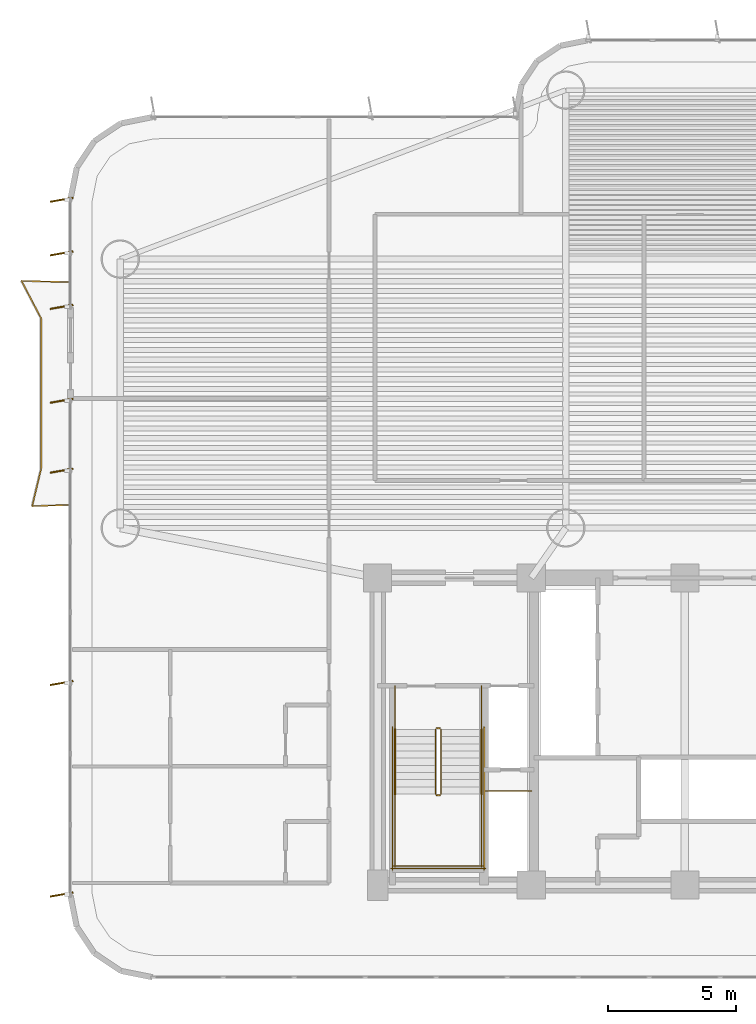
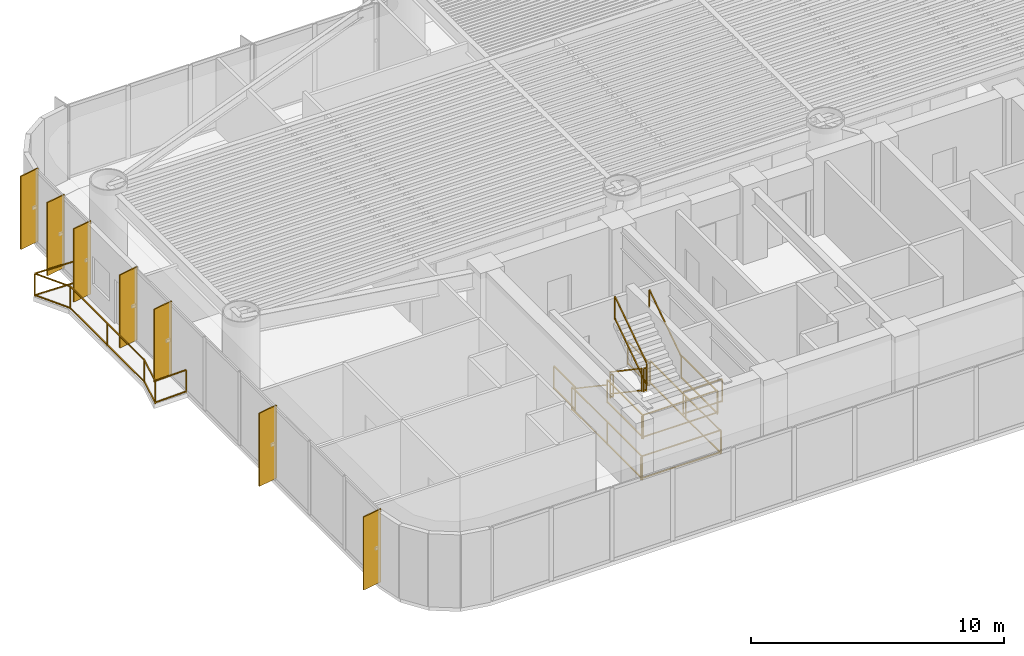
# One storey, part 14 of 17: 16 railings, 7 shading devices.
"""IFC4 building model written with IfcOpenShell, lengths in metres."""

import ifcopenshell
import ifcopenshell.guid

model = None  # the IFC model being written
_history = None  # IfcOwnerHistory: only IFC2X3 demands one
_inside = {}  # id of a spatial element -> (the spatial element, [elements in it])
_under = {}  # id of a project, library or spatial element -> (it, [spatial elements below it])
_declared = {}  # id of a project -> (the project, [libraries it declares])
_typed = {}  # id of a type object -> (the type object, [elements of that type])
_made_of = {}  # id of a material, layer set ... -> (it, [elements and type objects made of it])


def new_model(schema):
    """Start an empty IFC model of exactly this schema.

    Asked for "IFC4X3", IfcOpenShell would pick the latest addendum, in which some entities
    have other attributes; the version numbers below select the first issue.
    IFC2X3 requires an IfcOwnerHistory on every rooted entity: one is made here for all.
    """
    global model, _history
    if schema == "IFC4X3":
        model = ifcopenshell.file(schema_version=(4, 3, 0, 0))
    else:
        model = ifcopenshell.file(schema=schema)
    _inside.clear()
    _under.clear()
    _declared.clear()
    _typed.clear()
    _made_of.clear()
    _history = None
    if model.schema == "IFC2X3":
        org = make("IfcOrganization", Name="unknown")
        user = make(
            "IfcPersonAndOrganization",
            ThePerson=make("IfcPerson", FamilyName="unknown"),
            TheOrganization=org,
        )
        app = make(
            "IfcApplication",
            ApplicationDeveloper=org,
            Version="unknown",
            ApplicationFullName="unknown",
            ApplicationIdentifier="unknown",
        )
        _history = make(
            "IfcOwnerHistory",
            OwningUser=user,
            OwningApplication=app,
            ChangeAction="ADDED",
            CreationDate=0,
        )
    return model


def make(cls, **values):
    """One entity of the class cls with the attributes given. An attribute that is None is left unset."""
    return model.create_entity(
        cls, **{name: value for name, value in values.items() if value is not None}
    )


def rooted(cls, **values):
    """An entity with a GlobalId (a new one), such as an element, a storey or a relation."""
    return make(cls, GlobalId=ifcopenshell.guid.new(), OwnerHistory=_history, **values)


def si_unit(unit_type, name, prefix=None):
    """IfcSIUnit, for example si_unit("LENGTHUNIT", "METRE", prefix="MILLI")."""
    return make("IfcSIUnit", UnitType=unit_type, Prefix=prefix, Name=name)


def assignment(units):
    """IfcUnitAssignment: the units of a project."""
    return None if units is None else make("IfcUnitAssignment", Units=units)


def point(xyz):
    """IfcCartesianPoint."""
    return None if xyz is None else make("IfcCartesianPoint", Coordinates=xyz)


def direction(xyz):
    """IfcDirection."""
    return None if xyz is None else make("IfcDirection", DirectionRatios=xyz)


def frame(location, z_axis=None, x_axis=None):
    """IfcAxis2Placement3D, a coordinate frame: its origin and axes. An axis left out is left unset."""
    return make(
        "IfcAxis2Placement3D",
        Location=point(location),
        Axis=direction(z_axis),
        RefDirection=direction(x_axis),
    )


def frame_2d(location, x_axis=None):
    """IfcAxis2Placement2D, a coordinate frame in the plane: its origin and x axis."""
    return make(
        "IfcAxis2Placement2D", Location=point(location), RefDirection=direction(x_axis)
    )


def origin():
    """The frame at (0, 0, 0) with its axes left unset."""
    return frame((0.0, 0.0, 0.0))


def origin_2d():
    """The frame at (0, 0) in the plane with its x axis left unset."""
    return frame_2d((0.0, 0.0))


def place(relative_to, where):
    """IfcLocalPlacement: puts the frame where relative to a parent placement (None: the world)."""
    return make(
        "IfcLocalPlacement", PlacementRelTo=relative_to, RelativePlacement=where
    )


def context(
    kind, dimensions, precision=None, world=None, true_north=None, identifier=None
):
    """IfcGeometricRepresentationContext, for example the 3D "Model" context."""
    return make(
        "IfcGeometricRepresentationContext",
        ContextIdentifier=identifier,
        ContextType=kind,
        CoordinateSpaceDimension=dimensions,
        Precision=precision,
        WorldCoordinateSystem=world,
        TrueNorth=true_north,
    )


def subcontext(parent, identifier, kind, view, scale=None):
    """IfcGeometricRepresentationSubContext, for example "Body" below "Model"."""
    return make(
        "IfcGeometricRepresentationSubContext",
        ContextIdentifier=identifier,
        ContextType=kind,
        ParentContext=parent,
        TargetScale=scale,
        TargetView=view,
    )


def project(units=None, contexts=None):
    """IfcProject with its units and contexts."""
    return rooted(
        "IfcProject",
        Name="project",
        RepresentationContexts=contexts,
        UnitsInContext=assignment(units),
    )


def spatial(cls, under=None, at=None, **own):
    """A site, building, storey or space (cls), placed at a placement, below another one or the project."""
    s = rooted(cls, ObjectPlacement=at, **own)
    if under is not None:
        _under.setdefault(under.id(), (under, []))[1].append(s)
    return s


def profile(cls, at=None, kind="AREA", **sizes):
    """A parametric profile (cls). Its sizes go by their IFC names, for example OverallWidth=200.0."""
    return make(cls, ProfileType=kind, Position=at, **sizes)


def rectangle(**sizes):
    """IfcRectangleProfileDef."""
    return profile("IfcRectangleProfileDef", **sizes)


def extrude(swept, where, along, depth):
    """IfcExtrudedAreaSolid: the profile swept, set in the frame where, extruded along a direction by depth."""
    return make(
        "IfcExtrudedAreaSolid",
        SweptArea=swept,
        Position=where,
        ExtrudedDirection=direction(along),
        Depth=depth,
    )


def shape(context_of_items, identifier, shape_type, items):
    """IfcShapeRepresentation: the items that make up one representation, for example the "Body"."""
    return make(
        "IfcShapeRepresentation",
        ContextOfItems=context_of_items,
        RepresentationIdentifier=identifier,
        RepresentationType=shape_type,
        Items=items,
    )


def source(mapping_origin, context_of_items, identifier, shape_type, items):
    """IfcRepresentationMap: a shape defined once, which mapped items show again and again."""
    return make(
        "IfcRepresentationMap",
        MappingOrigin=mapping_origin,
        MappedRepresentation=shape(context_of_items, identifier, shape_type, items),
    )


def transform(
    local_origin,
    x_axis=None,
    y_axis=None,
    z_axis=None,
    scale=None,
    scale2=None,
    scale3=None,
    uniform=True,
):
    """IfcCartesianTransformationOperator3D, or its non-uniform kind. x_axis, y_axis, z_axis: its Axis1, 2, 3."""
    if uniform:
        return make(
            "IfcCartesianTransformationOperator3D",
            Axis1=direction(x_axis),
            Axis2=direction(y_axis),
            LocalOrigin=point(local_origin),
            Scale=scale,
            Axis3=direction(z_axis),
        )
    return make(
        "IfcCartesianTransformationOperator3DnonUniform",
        Axis1=direction(x_axis),
        Axis2=direction(y_axis),
        LocalOrigin=point(local_origin),
        Scale=scale,
        Axis3=direction(z_axis),
        Scale2=scale2,
        Scale3=scale3,
    )


def mapped(mapping_source, mapping_target):
    """IfcMappedItem: shows the shape of a source again, moved by a transform."""
    return make(
        "IfcMappedItem", MappingSource=mapping_source, MappingTarget=mapping_target
    )


def material(Name=None, Category=None):
    """IfcMaterial."""
    return make("IfcMaterial", Name=Name, Category=Category)


def layer(
    of_material, thickness, ventilated=None, Name=None, Category=None, Priority=None
):
    """IfcMaterialLayer: one layer of a wall or slab, of a material (None: an air gap)."""
    return make(
        "IfcMaterialLayer",
        Material=of_material,
        LayerThickness=thickness,
        IsVentilated=ventilated,
        Name=Name,
        Category=Category,
        Priority=Priority,
    )


def layer_set(layers, Name=None):
    """IfcMaterialLayerSet."""
    return make("IfcMaterialLayerSet", MaterialLayers=layers, LayerSetName=Name)


def material_profile(
    of_material, cross_section, Name=None, Category=None, Priority=None
):
    """IfcMaterialProfile: a cross section and its material."""
    return make(
        "IfcMaterialProfile",
        Name=Name,
        Material=of_material,
        Profile=cross_section,
        Priority=Priority,
        Category=Category,
    )


def profile_set(profiles, Name=None, composite=None):
    """IfcMaterialProfileSet."""
    return make(
        "IfcMaterialProfileSet",
        Name=Name,
        MaterialProfiles=profiles,
        CompositeProfile=composite,
    )


def made_of(thing, what):
    """Note that an element or type object is made of a material, layer set ...; save() writes the relation."""
    if what is not None:
        _made_of.setdefault(what.id(), (what, []))[1].append(thing)
    return thing


def type_object(cls, material=None, **own):
    """A type object (cls), such as IfcWallType, which elements share."""
    return made_of(rooted(cls, **own), material)


def element(
    cls,
    number,
    at=None,
    inside=None,
    cuts=None,
    type_object=None,
    material=None,
    context=None,
    identifier="Body",
    shape_type=None,
    held_by="IfcProductDefinitionShape",
    body=None,
    shapes=None,
    **own,
):
    """One element of the class cls, such as IfcWall. Its Tag is "e" and its number.

    at: its placement. inside: the storey or other place that contains it. cuts: it is an
    opening in that element (IfcRelVoidsElement). A single representation is given by context,
    identifier, shape_type and body (its items); several are given by shapes. held_by: the class
    of the entity that holds the representations. save() writes the other relations.
    """
    e = rooted(cls, Tag="e%d" % number, ObjectPlacement=at, **own)
    if body is not None:
        shapes = [shape(context, identifier, shape_type, body)]
    if shapes is not None:
        e.Representation = make(held_by, Representations=shapes)
    if inside is not None:
        _inside.setdefault(inside.id(), (inside, []))[1].append(e)
    if cuts is not None:
        rooted(
            "IfcRelVoidsElement", RelatingBuildingElement=cuts, RelatedOpeningElement=e
        )
    if type_object is not None:
        _typed.setdefault(type_object.id(), (type_object, []))[1].append(e)
    return made_of(e, material)


def aggregate(whole, parts):
    """IfcRelAggregates: a whole, such as a stair, and the parts it consists of."""
    return rooted("IfcRelAggregates", RelatingObject=whole, RelatedObjects=parts)


def save(model, path):
    """Write the relations noted so far, then the file.

    IfcRelAggregates (storeys below a building ...), IfcRelContainedInSpatialStructure (elements
    in a storey), IfcRelDefinesByType, IfcRelAssociatesMaterial and IfcRelDeclares: one each for
    every whole, place, type object, material and project.
    """
    for whole, parts in _under.values():
        aggregate(whole, parts)
    for where, things in _inside.values():
        rooted(
            "IfcRelContainedInSpatialStructure",
            RelatedElements=things,
            RelatingStructure=where,
        )
    for kind, things in _typed.values():
        rooted("IfcRelDefinesByType", RelatedObjects=things, RelatingType=kind)
    for what, things in _made_of.values():
        rooted("IfcRelAssociatesMaterial", RelatedObjects=things, RelatingMaterial=what)
    for by, libraries in _declared.values():
        rooted("IfcRelDeclares", RelatingContext=by, RelatedDefinitions=libraries)
    model.write(path)


model = new_model("IFC4")

# Units and contexts
model_context = context("Model", 3, precision=1e-05, world=origin(), true_north=direction((0.0, 1.0)))
body_context = subcontext(model_context, "Body", "Model", "MODEL_VIEW")
ifc_project = project(units=[si_unit("LENGTHUNIT", "METRE"), si_unit("AREAUNIT", "SQUARE_METRE"), si_unit("VOLUMEUNIT", "CUBIC_METRE"), si_unit("PLANEANGLEUNIT", "RADIAN"), si_unit("MASSUNIT", "GRAM", prefix="KILO")], contexts=[model_context])

# Site, building, storey
site_placement = place(None, origin())
site = spatial("IfcSite", under=ifc_project, at=site_placement, CompositionType="ELEMENT")
building_placement = place(site_placement, origin())
building = spatial("IfcBuilding", under=site, at=building_placement, Name="Brelvock Crest Care Tower", CompositionType="ELEMENT")
storey_placement = place(building_placement, frame((0.0, 0.0, 53.4599609375)))
storey = spatial("IfcBuildingStorey", under=building, at=storey_placement, Name="L13", CompositionType="ELEMENT", Elevation=53.4599609375)

# Railings
ifc_material_1 = material(Name="Dark Glass Double Glazed Low-E", Category="glass")
ifc_layer_1 = layer(ifc_material_1, 0.06005859375, Name="RL-BAL1")
ifc_layer_set_1 = layer_set([ifc_layer_1], Name="Dark Glass Double Glazed Low-E")
railing_type_1 = type_object("IfcRailingType", Name="RL-BAL1", PredefinedType="BALUSTRADE", material=ifc_layer_set_1)
railing_1_placement = place(storey_placement, frame((11.9599609375, 20.85009765625, 0.004150390625)))
element("IfcRailing", 1, at=railing_1_placement, inside=storey, type_object=railing_type_1, Name="L13 Safety Balustrade WB-W", PredefinedType="BALUSTRADE", context=body_context, shape_type="SweptSolid", body=[
    extrude(rectangle(XDim=0.048095703125, YDim=0.048095703125, at=origin_2d()), frame((-0.001953125, 0.0, 1.09619140625), z_axis=(-0.999404799616, -0.034497050669, 0.0), x_axis=(0.034497050669, -0.999404799616, 0.0)), (0.0, 0.0, 1.0), 1.44677734375),
    extrude(rectangle(XDim=0.048095703125, YDim=0.048095703125, at=origin_2d()), frame((-0.001953125, 0.0, 0.054931640625), z_axis=(-0.999404799616, -0.034497050669, 0.0), x_axis=(0.034497050669, -0.999404799616, 0.0)), (0.0, 0.0, 1.0), 1.44677734375),
    extrude(rectangle(XDim=0.048095703125, YDim=0.048095703125, at=origin_2d()), frame((-1.449462890625, -0.048095703125, 1.09619140625), z_axis=(0.232196944837, 0.972668791937, 0.0), x_axis=(-0.972668791937, 0.232196944837, 0.0)), (0.0, 0.0, 1.0), 1.503662109375),
    extrude(rectangle(XDim=0.048095703125, YDim=0.048095703125, at=origin_2d()), frame((-1.449462890625, -0.048095703125, 0.054931640625), z_axis=(0.232196944837, 0.972668791937, 0.0), x_axis=(-0.972668791937, 0.232196944837, 0.0)), (0.0, 0.0, 1.0), 1.503662109375),
    extrude(rectangle(XDim=0.048095703125, YDim=0.048095703125, at=origin_2d()), frame((-1.099853515625, 1.41845703125, 1.09619140625), z_axis=(-0.000124843944, 0.999999992207, 0.0), x_axis=(-0.999999992207, -0.000124843944, 0.0)), (0.0, 0.0, 1.0), 5.86279296875),
    extrude(rectangle(XDim=0.048095703125, YDim=0.048095703125, at=origin_2d()), frame((-1.099853515625, 1.41845703125, 0.054931640625), z_axis=(-0.000124843944, 0.999999992207, 0.0), x_axis=(-0.999999992207, -0.000124843944, 0.0)), (0.0, 0.0, 1.0), 5.86279296875),
    extrude(rectangle(XDim=0.048095703125, YDim=0.048095703125, at=origin_2d()), frame((-1.1015625, 7.284912109375, 1.09619140625), z_axis=(-0.463191013929, 0.88625847506, 0.0), x_axis=(-0.88625847506, -0.463191013929, 0.0)), (0.0, 0.0, 1.0), 1.651123046875),
    extrude(rectangle(XDim=0.048095703125, YDim=0.048095703125, at=origin_2d()), frame((-1.1015625, 7.284912109375, 0.054931640625), z_axis=(-0.463191013929, 0.88625847506, 0.0), x_axis=(-0.88625847506, -0.463191013929, 0.0)), (0.0, 0.0, 1.0), 1.651123046875),
    extrude(rectangle(XDim=0.048095703125, YDim=0.048095703125, at=origin_2d()), frame((-1.865234375, 8.75, 1.09619140625), z_axis=(0.999640955712, -0.026794769341, 0.0), x_axis=(0.026794769341, 0.999640955712, 0.0)), (0.0, 0.0, 1.0), 1.86376953125),
    extrude(rectangle(XDim=0.048095703125, YDim=0.048095703125, at=origin_2d()), frame((-1.865234375, 8.75, 0.054931640625), z_axis=(0.999640955712, -0.026794769341, 0.0), x_axis=(0.026794769341, 0.999640955712, 0.0)), (0.0, 0.0, 1.0), 1.86376953125),
    extrude(rectangle(XDim=0.0419921875, YDim=0.0419921875, at=origin_2d()), origin(), (0.0, 0.0, 1.0), 1.070068359375),
    extrude(rectangle(XDim=0.0419921875, YDim=0.0419921875, at=origin_2d()), frame((-1.449951171875, -0.050048828125, 0.0)), (0.0, 0.0, 1.0), 1.070068359375),
    extrude(rectangle(XDim=0.0419921875, YDim=0.0419921875, at=origin_2d()), frame((-1.099853515625, 1.41650390625, 0.0)), (0.0, 0.0, 1.0), 1.070068359375),
    extrude(rectangle(XDim=0.0419921875, YDim=0.0419921875, at=origin_2d()), frame((-1.10009765625, 4.349853515625, 0.0)), (0.0, 0.0, 1.0), 1.070068359375),
    extrude(rectangle(XDim=0.0419921875, YDim=0.0419921875, at=origin_2d()), frame((-1.1005859375, 7.283203125, 0.0)), (0.0, 0.0, 1.0), 1.070068359375),
    extrude(rectangle(XDim=0.0419921875, YDim=0.0419921875, at=origin_2d()), frame((-1.8671875, 8.75, 0.0)), (0.0, 0.0, 1.0), 1.070068359375),
    extrude(rectangle(XDim=0.0419921875, YDim=0.0419921875, at=origin_2d()), frame((0.0, 8.699951171875, 0.0)), (0.0, 0.0, 1.0), 1.070068359375),
])
ifc_material_2 = material(Name="Steel Grade 350", Category="steel")
ifc_layer_2 = layer(ifc_material_2, 0.050048828125, Name="RL-STG1")
ifc_layer_set_2 = layer_set([ifc_layer_2], Name="Steel Grade 350")
railing_type_2 = type_object("IfcRailingType", Name="RL-STG1", PredefinedType="GUARDRAIL", material=ifc_layer_set_2)
railing_2_placement = place(storey_placement, frame((26.260009765625, 12.080078125, 0.18896484375)))
element("IfcRailing", 2, at=railing_2_placement, inside=storey, type_object=railing_type_2, Name="L13 ST-1 stair guard 1", PredefinedType="GUARDRAIL", context=body_context, shape_type="SweptSolid", body=[
    extrude(rectangle(XDim=0.048095703125, YDim=0.048095703125, at=origin_2d()), frame((0.0, -0.001708984375, 1.116943359375), z_axis=(0.0, -0.82882447046, 0.559508710537), x_axis=(1.0, 0.0, 0.0)), (0.0, 0.0, 1.0), 3.036376953125),
    extrude(rectangle(XDim=0.048095703125, YDim=0.048095703125, at=origin_2d()), frame((0.0, -0.001708984375, 0.05615234375), z_axis=(0.0, -0.82882447046, 0.559508710537), x_axis=(1.0, 0.0, 0.0)), (0.0, 0.0, 1.0), 3.036376953125),
    extrude(rectangle(XDim=0.0419921875, YDim=0.0419921875, at=origin_2d()), origin(), (0.0, 0.0, 1.0), 1.08984375),
    extrude(rectangle(XDim=0.0419921875, YDim=0.0419921875, at=origin_2d()), frame((0.0, -2.52001953125, 1.701171875)), (0.0, 0.0, 1.0), 1.08984375),
])
railing_3_placement = place(storey_placement, frame((26.31005859375, 9.510009765625, 1.89013671875)))
element("IfcRailing", 3, at=railing_3_placement, inside=storey, type_object=railing_type_2, Name="L13 ST-1 stair guard 2", PredefinedType="GUARDRAIL", context=body_context, shape_type="SweptSolid", body=[
    extrude(rectangle(XDim=0.048095703125, YDim=0.048095703125, at=origin_2d()), frame((0.001953125, 0.0, 1.11572265625), z_axis=(1.0, 0.0, 0.0), x_axis=(0.0, 1.0, 0.0)), (0.0, 0.0, 1.0), 0.115966796875),
    extrude(rectangle(XDim=0.048095703125, YDim=0.048095703125, at=origin_2d()), frame((0.001953125, 0.0, 0.054931640625), z_axis=(1.0, 0.0, 0.0), x_axis=(0.0, 1.0, 0.0)), (0.0, 0.0, 1.0), 0.115966796875),
    extrude(rectangle(XDim=0.0419921875, YDim=0.0419921875, at=origin_2d()), origin(), (0.0, 0.0, 1.0), 1.08984375),
    extrude(rectangle(XDim=0.0419921875, YDim=0.0419921875, at=origin_2d()), frame((0.119873046875, 0.0, 0.0)), (0.0, 0.0, 1.0), 1.08984375),
])
for number, where, name in (
    (4, (24.679931640625, 9.56005859375, 1.89013671875), "L13 ST-1 stair guard 3"),
    (5, (28.06005859375, 9.56005859375, 1.89013671875), "L13 ST-1 stair guard 4"),
):
    element("IfcRailing", number, at=place(storey_placement, frame(where)), inside=storey, type_object=railing_type_2, Name=name, PredefinedType="GUARDRAIL", context=body_context, shape_type="SweptSolid", body=[
        extrude(rectangle(XDim=0.048095703125, YDim=0.048095703125, at=origin_2d()), frame((0.0, -0.001953125, 1.11572265625), z_axis=(0.0, -1.0, 0.0), x_axis=(1.0, 0.0, 0.0)), (0.0, 0.0, 1.0), 2.856201171875),
        extrude(rectangle(XDim=0.048095703125, YDim=0.048095703125, at=origin_2d()), frame((0.0, -0.001953125, 0.054931640625), z_axis=(0.0, -1.0, 0.0), x_axis=(1.0, 0.0, 0.0)), (0.0, 0.0, 1.0), 2.856201171875),
        extrude(rectangle(XDim=0.0419921875, YDim=0.0419921875, at=origin_2d()), origin(), (0.0, 0.0, 1.0), 1.08984375),
        extrude(rectangle(XDim=0.0419921875, YDim=0.0419921875, at=origin_2d()), frame((0.0, -2.860107421875, 0.0)), (0.0, 0.0, 1.0), 1.08984375),
    ])
railing_4_placement = place(storey_placement, frame((24.6298828125, 6.75, 1.89013671875)))
element("IfcRailing", 6, at=railing_4_placement, inside=storey, type_object=railing_type_2, Name="L13 ST-1 stair guard 5", PredefinedType="GUARDRAIL", context=body_context, shape_type="SweptSolid", body=[
    extrude(rectangle(XDim=0.048095703125, YDim=0.048095703125, at=origin_2d()), frame((0.001953125, 0.0, 1.11572265625), z_axis=(1.0, 0.0, 0.0), x_axis=(0.0, 1.0, 0.0)), (0.0, 0.0, 1.0), 3.476318359375),
    extrude(rectangle(XDim=0.048095703125, YDim=0.048095703125, at=origin_2d()), frame((0.001953125, 0.0, 0.054931640625), z_axis=(1.0, 0.0, 0.0), x_axis=(0.0, 1.0, 0.0)), (0.0, 0.0, 1.0), 3.476318359375),
    extrude(rectangle(XDim=0.0419921875, YDim=0.0419921875, at=origin_2d()), origin(), (0.0, 0.0, 1.0), 1.08984375),
    extrude(rectangle(XDim=0.0419921875, YDim=0.0419921875, at=origin_2d()), frame((3.480224609375, 0.0, 0.0)), (0.0, 0.0, 1.0), 1.08984375),
])
railing_5_placement = place(storey_placement, frame((26.47998046875, 9.56005859375, 2.0791015625)))
element("IfcRailing", 7, at=railing_5_placement, inside=storey, type_object=railing_type_2, Name="L13 ST-1 stair guard 6", PredefinedType="GUARDRAIL", context=body_context, shape_type="SweptSolid", body=[
    extrude(rectangle(XDim=0.048095703125, YDim=0.048095703125, at=origin_2d()), frame((0.0, 0.001708984375, 1.116943359375), z_axis=(0.0, 0.828861706735, 0.559453546873), x_axis=(-1.0, 0.0, 0.0)), (0.0, 0.0, 1.0), 3.036376953125),
    extrude(rectangle(XDim=0.048095703125, YDim=0.048095703125, at=origin_2d()), frame((0.0, 0.001708984375, 0.05615234375), z_axis=(0.0, 0.828861706735, 0.559453546873), x_axis=(-1.0, 0.0, 0.0)), (0.0, 0.0, 1.0), 3.036376953125),
    extrude(rectangle(XDim=0.0419921875, YDim=0.0419921875, at=origin_2d()), origin(), (0.0, 0.0, 1.0), 1.08984375),
    extrude(rectangle(XDim=0.0419921875, YDim=0.0419921875, at=origin_2d()), frame((0.0, 2.52001953125, 1.700927734375)), (0.0, 0.0, 1.0), 1.08984375),
])
railing_6_placement = place(storey_placement, frame((26.31005859375, 12.1298828125, 0.0)))
element("IfcRailing", 8, at=railing_6_placement, inside=storey, type_object=railing_type_2, Name="L13 ST-1 stair guard 7", PredefinedType="GUARDRAIL", context=body_context, shape_type="SweptSolid", body=[
    extrude(rectangle(XDim=0.048095703125, YDim=0.048095703125, at=origin_2d()), frame((0.001953125, 0.0, 1.11572265625), z_axis=(1.0, 0.0, 0.0), x_axis=(0.0, 1.0, 0.0)), (0.0, 0.0, 1.0), 0.115966796875),
    extrude(rectangle(XDim=0.048095703125, YDim=0.048095703125, at=origin_2d()), frame((0.001953125, 0.0, 0.054931640625), z_axis=(1.0, 0.0, 0.0), x_axis=(0.0, 1.0, 0.0)), (0.0, 0.0, 1.0), 0.115966796875),
    extrude(rectangle(XDim=0.0419921875, YDim=0.0419921875, at=origin_2d()), origin(), (0.0, 0.0, 1.0), 1.08984375),
    extrude(rectangle(XDim=0.0419921875, YDim=0.0419921875, at=origin_2d()), frame((0.119873046875, 0.0, 0.0)), (0.0, 0.0, 1.0), 1.08984375),
])
for number, where, name in (
    (9, (24.679931640625, 13.780029296875, 0.0), "L13 ST-1 stair guard 8"),
    (10, (28.06005859375, 13.780029296875, 0.0), "L13 ST-1 stair guard 9"),
):
    element("IfcRailing", number, at=place(storey_placement, frame(where)), inside=storey, type_object=railing_type_2, Name=name, PredefinedType="GUARDRAIL", context=body_context, shape_type="SweptSolid", body=[
        extrude(rectangle(XDim=0.048095703125, YDim=0.048095703125, at=origin_2d()), frame((0.0, -0.001953125, 1.11572265625), z_axis=(0.0, -1.0, 0.0), x_axis=(1.0, 0.0, 0.0)), (0.0, 0.0, 1.0), 1.696044921875),
        extrude(rectangle(XDim=0.048095703125, YDim=0.048095703125, at=origin_2d()), frame((0.0, -0.001953125, 0.054931640625), z_axis=(0.0, -1.0, 0.0), x_axis=(1.0, 0.0, 0.0)), (0.0, 0.0, 1.0), 1.696044921875),
        extrude(rectangle(XDim=0.0419921875, YDim=0.0419921875, at=origin_2d()), origin(), (0.0, 0.0, 1.0), 1.08984375),
        extrude(rectangle(XDim=0.0419921875, YDim=0.0419921875, at=origin_2d()), frame((0.0, -1.699951171875, 0.0)), (0.0, 0.0, 1.0), 1.08984375),
    ])
for number, where, name in (
    (11, (24.580078125, 12.179931640625, 0.0), "L13 ST-1 stair guard 10"),
    (12, (28.159912109375, 12.179931640625, 0.0), "L13 ST-1 stair guard 11"),
):
    element("IfcRailing", number, at=place(storey_placement, frame(where)), inside=storey, type_object=railing_type_2, Name=name, PredefinedType="GUARDRAIL", context=body_context, shape_type="SweptSolid", body=[
        extrude(rectangle(XDim=0.048095703125, YDim=0.048095703125, at=origin_2d()), frame((0.0, -0.001953125, 1.11572265625), z_axis=(0.0, -1.0, 0.0), x_axis=(1.0, 0.0, 0.0)), (0.0, 0.0, 1.0), 5.575927734375),
        extrude(rectangle(XDim=0.048095703125, YDim=0.048095703125, at=origin_2d()), frame((0.0, -0.001953125, 0.054931640625), z_axis=(0.0, -1.0, 0.0), x_axis=(1.0, 0.0, 0.0)), (0.0, 0.0, 1.0), 5.575927734375),
        extrude(rectangle(XDim=0.0419921875, YDim=0.0419921875, at=origin_2d()), origin(), (0.0, 0.0, 1.0), 1.08984375),
        extrude(rectangle(XDim=0.0419921875, YDim=0.0419921875, at=origin_2d()), frame((0.0, -2.7900390625, 0.0)), (0.0, 0.0, 1.0), 1.08984375),
        extrude(rectangle(XDim=0.0419921875, YDim=0.0419921875, at=origin_2d()), frame((0.0, -5.579833984375, 0.0)), (0.0, 0.0, 1.0), 1.08984375),
    ])
railing_7_placement = place(storey_placement, frame((24.530029296875, 6.64990234375, 0.0)))
element("IfcRailing", 13, at=railing_7_placement, inside=storey, type_object=railing_type_2, Name="L13 ST-1 stair guard 12", PredefinedType="GUARDRAIL", context=body_context, shape_type="SweptSolid", body=[
    extrude(rectangle(XDim=0.048095703125, YDim=0.048095703125, at=origin_2d()), frame((0.001953125, 0.0, 1.11572265625), z_axis=(1.0, 0.0, 0.0), x_axis=(0.0, 1.0, 0.0)), (0.0, 0.0, 1.0), 3.676025390625),
    extrude(rectangle(XDim=0.048095703125, YDim=0.048095703125, at=origin_2d()), frame((0.001953125, 0.0, 0.054931640625), z_axis=(1.0, 0.0, 0.0), x_axis=(0.0, 1.0, 0.0)), (0.0, 0.0, 1.0), 3.676025390625),
    extrude(rectangle(XDim=0.0419921875, YDim=0.0419921875, at=origin_2d()), origin(), (0.0, 0.0, 1.0), 1.08984375),
    extrude(rectangle(XDim=0.0419921875, YDim=0.0419921875, at=origin_2d()), frame((3.679931640625, 0.0, 0.0)), (0.0, 0.0, 1.0), 1.08984375),
])
railing_8_placement = place(storey_placement, frame((28.219970703125, 9.679931640625, 0.0)))
element("IfcRailing", 14, at=railing_8_placement, inside=storey, type_object=railing_type_2, Name="L13 Fire Riser Threshold Guard", PredefinedType="GUARDRAIL", context=body_context, shape_type="SweptSolid", body=[
    extrude(rectangle(XDim=0.048095703125, YDim=0.048095703125, at=origin_2d()), frame((0.001953125, 0.0, 1.11572265625), z_axis=(1.0, 0.0, 0.0), x_axis=(0.0, 1.0, 0.0)), (0.0, 0.0, 1.0), 1.776123046875),
    extrude(rectangle(XDim=0.048095703125, YDim=0.048095703125, at=origin_2d()), frame((0.001953125, 0.0, 0.054931640625), z_axis=(1.0, 0.0, 0.0), x_axis=(0.0, 1.0, 0.0)), (0.0, 0.0, 1.0), 1.776123046875),
    extrude(rectangle(XDim=0.0419921875, YDim=0.0419921875, at=origin_2d()), origin(), (0.0, 0.0, 1.0), 1.08984375),
    extrude(rectangle(XDim=0.0419921875, YDim=0.0419921875, at=origin_2d()), frame((1.780029296875, 0.0, 0.0)), (0.0, 0.0, 1.0), 1.08984375),
])
ifc_layer_3 = layer(ifc_material_2, 0.048095703125, Name="RL-STH1")
ifc_layer_set_3 = layer_set([ifc_layer_3], Name="Steel Grade 350")
railing_type_3 = type_object("IfcRailingType", Name="RL-STH1", PredefinedType="HANDRAIL", material=ifc_layer_set_3)
railing_9_placement = place(storey_placement, frame((24.679931640625, 12.080078125, 0.18896484375)))
element("IfcRailing", 15, at=railing_9_placement, inside=storey, type_object=railing_type_3, Name="L13 ST-1 stair handrail 1", PredefinedType="HANDRAIL", context=body_context, shape_type="SweptSolid", body=[
    extrude(rectangle(XDim=0.048095703125, YDim=0.048095703125, at=origin_2d()), frame((0.0, -0.001708984375, 0.876953125), z_axis=(0.0, -0.82882447046, 0.559508710537), x_axis=(1.0, 0.0, 0.0)), (0.0, 0.0, 1.0), 3.036376953125),
    extrude(rectangle(XDim=0.0419921875, YDim=0.0419921875, at=origin_2d()), origin(), (0.0, 0.0, 1.0), 0.849853515625),
    extrude(rectangle(XDim=0.0419921875, YDim=0.0419921875, at=origin_2d()), frame((0.0, -2.52001953125, 1.701171875)), (0.0, 0.0, 1.0), 0.849853515625),
])
railing_10_placement = place(storey_placement, frame((28.06005859375, 9.56005859375, 2.0791015625)))
element("IfcRailing", 16, at=railing_10_placement, inside=storey, type_object=railing_type_3, Name="L13 ST-1 stair handrail 2", PredefinedType="HANDRAIL", context=body_context, shape_type="SweptSolid", body=[
    extrude(rectangle(XDim=0.048095703125, YDim=0.048095703125, at=origin_2d()), frame((0.0, 0.001708984375, 0.876953125), z_axis=(0.0, 0.828861706735, 0.559453546873), x_axis=(-1.0, 0.0, 0.0)), (0.0, 0.0, 1.0), 3.036376953125),
    extrude(rectangle(XDim=0.0419921875, YDim=0.0419921875, at=origin_2d()), origin(), (0.0, 0.0, 1.0), 0.849853515625),
    extrude(rectangle(XDim=0.0419921875, YDim=0.0419921875, at=origin_2d()), frame((0.0, 2.52001953125, 1.700927734375)), (0.0, 0.0, 1.0), 0.849853515625),
])

# Shading devices
ifc_material_3 = material(Name="Aluminium 6063-T6", Category="aluminium")
ifc_material_profile = material_profile(ifc_material_3, rectangle(XDim=0.054931640625, YDim=0.89990234375, at=origin_2d()), Name="FIN55x900")
ifc_profile_set = profile_set([ifc_material_profile], Name="Aluminium 6063-T6")
shading_device_type = type_object("IfcShadingDeviceType", Name="SHD-FIN1", PredefinedType="USERDEFINED", material=ifc_profile_set)
shared_shape = source(origin(), body_context, "Body", "SweptSolid", [
    extrude(rectangle(XDim=0.054931640625, YDim=0.89990234375, at=origin_2d()), origin(), (0.0, 0.0, 1.0), 3.530029296875),
])
for number, where, z_axis, x_axis, name in (
    (17, (11.659912109375, 5.632568359375, 0.0), (0.0, 0.0, 1.0), (-0.173648177667, 0.984807753012, 0.0), "L13 Vertical Sunshade Fin E13A-01"),
    (18, (11.659912109375, 13.892822265625, 0.0), (0.0, 0.0, 1.0), (-0.173648177667, 0.984807753012, 0.0), "L13 Vertical Sunshade Fin E13A-04"),
    (19, (11.659912109375, 22.185791015625, 0.0), (0.0, 0.0, 1.0), (-0.173648177667, 0.984807753012, 0.0), "L13 Vertical Sunshade Fin E13A-07"),
    (20, (11.659912109375, 24.91748046875, 0.0), (0.0, 0.0, 1.0), (-0.173648177667, 0.984807753012, 0.0), "L13 Vertical Sunshade Fin E13A-08"),
    (21, (11.659912109375, 28.58251953125, 0.0), (0.0, 0.0, 1.0), (-0.173648177667, 0.984807753012, 0.0), "L13 Vertical Sunshade Fin E13B-01"),
    (22, (11.659912109375, 30.675048828125, 0.0), (0.0, 0.0, 1.0), (-0.173648177667, 0.984807753012, 0.0), "L13 Vertical Sunshade Fin E13B-02"),
    (23, (11.659912109375, 32.767578125, 0.0), (0.0, 0.0, 1.0), (-0.173648177667, 0.984807753012, 0.0), "L13 Vertical Sunshade Fin E13B-03"),
):
    element("IfcShadingDevice", number, at=place(storey_placement, frame(where, z_axis=z_axis, x_axis=x_axis)), inside=storey, type_object=shading_device_type, Name=name, ObjectType="FIN", PredefinedType="USERDEFINED", context=body_context, shape_type="MappedRepresentation", body=[
        mapped(shared_shape, transform((0.0, 0.0, 0.0), x_axis=(1.0, 0.0, 0.0), y_axis=(0.0, 1.0, 0.0), z_axis=(0.0, 0.0, 1.0), scale=1.0)),
    ])

save(model, "model.ifc")
